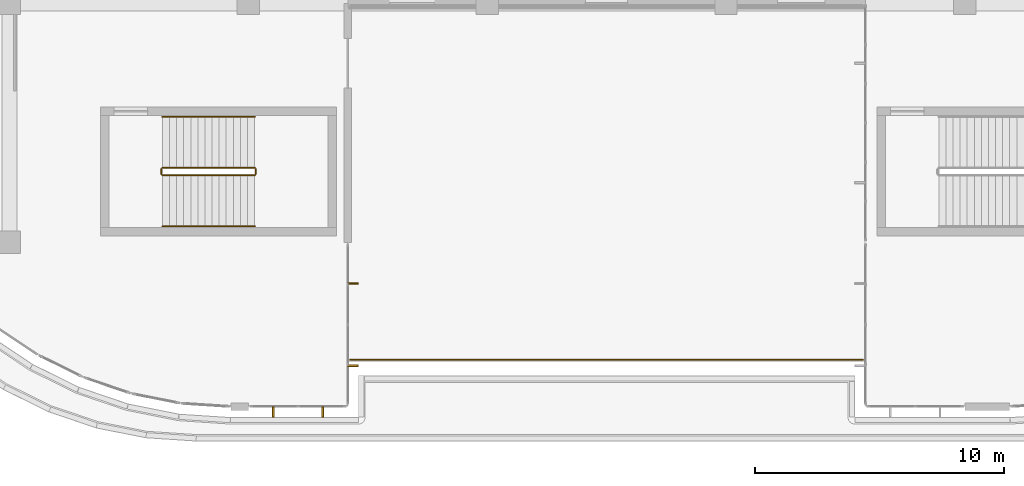
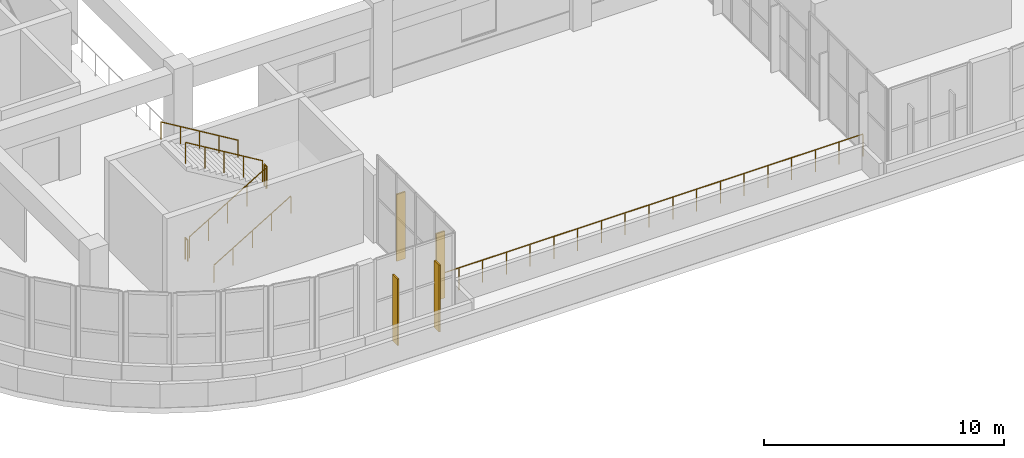
# One storey, part 75 of 96: 7 railings, 4 shading devices.
"""IFC4 building model written with IfcOpenShell, lengths in metres."""

from ifc_helpers import new_model, si_unit, direction, frame, origin, origin_2d, place, context, subcontext, project, spatial, rectangle, circle, extrude, material, type_object, element, save


model = new_model("IFC4")

# Units and contexts
model_context = context("Model", 3, precision=1e-05, world=origin(), true_north=direction((0.0, 1.0)))
body_context = subcontext(model_context, "Body", "Model", "MODEL_VIEW")
ifc_project = project(units=[si_unit("LENGTHUNIT", "METRE"), si_unit("AREAUNIT", "SQUARE_METRE"), si_unit("VOLUMEUNIT", "CUBIC_METRE"), si_unit("PLANEANGLEUNIT", "RADIAN"), si_unit("MASSUNIT", "GRAM", prefix="KILO")], contexts=[model_context])

# Site, building, storey
site_placement = place(None, origin())
site = spatial("IfcSite", under=ifc_project, at=site_placement, CompositionType="ELEMENT")
building_placement = place(site_placement, origin())
building = spatial("IfcBuilding", under=site, at=building_placement, Name="Cendralis Terraced Arcade", CompositionType="ELEMENT")
storey_placement = place(building_placement, frame((0.0, 0.0, 10.199951171875)))
storey = spatial("IfcBuildingStorey", under=building, at=storey_placement, Name="L02", CompositionType="ELEMENT", Elevation=10.199951171875)

# Railings
ifc_material_1 = material(Name="Brushed stainless steel AISI 316", Category="steel")
railing_type_1 = type_object("IfcRailingType", Name="RL-STAIR-GUARD-1100", PredefinedType="GUARDRAIL", material=ifc_material_1)
railing_1_placement = place(storey_placement, frame((15.75, 12.300048828125, 0.17138671875)))
element("IfcRailing", 1, at=railing_1_placement, inside=storey, type_object=railing_type_1, Name="L02 ST-02 stair guard 1", PredefinedType="GUARDRAIL", context=body_context, shape_type="SweptSolid", body=[
    extrude(circle(Radius=0.02392578125, at=origin_2d()), frame((0.0, 0.0, 1.076171875), z_axis=(0.856909459561, 0.0, 0.515466951525), x_axis=(0.0, 1.0, 0.0)), (0.0, 0.0, 1.0), 4.32373046875),
    extrude(circle(Radius=0.02099609375, at=origin_2d()), origin(), (0.0, 0.0, 1.0), 1.052001953125),
    extrude(circle(Radius=0.02099609375, at=origin_2d()), frame((0.92626953125, 0.0, 0.55712890625)), (0.0, 0.0, 1.0), 1.052001953125),
    extrude(circle(Radius=0.02099609375, at=origin_2d()), frame((1.8525390625, 0.0, 1.1142578125)), (0.0, 0.0, 1.0), 1.052001953125),
    extrude(circle(Radius=0.02099609375, at=origin_2d()), frame((2.77880859375, 0.0, 1.671630859375)), (0.0, 0.0, 1.0), 1.052001953125),
    extrude(circle(Radius=0.02099609375, at=origin_2d()), frame((3.705078125, 0.0, 2.228759765625)), (0.0, 0.0, 1.0), 1.052001953125),
])
railing_2_placement = place(storey_placement, frame((19.5048828125, 12.35009765625, 2.400146484375)))
element("IfcRailing", 2, at=railing_2_placement, inside=storey, type_object=railing_type_1, Name="L02 ST-02 stair guard 2", PredefinedType="GUARDRAIL", context=body_context, shape_type="SweptSolid", body=[
    extrude(circle(Radius=0.02392578125, at=origin_2d()), frame((0.0, 0.0, 1.076171875), z_axis=(0.0, 1.0, 0.0), x_axis=(-1.0, 0.0, 0.0)), (0.0, 0.0, 1.0), 0.199951171875),
    extrude(circle(Radius=0.02099609375, at=origin_2d()), origin(), (0.0, 0.0, 1.0), 1.052001953125),
    extrude(circle(Radius=0.02099609375, at=origin_2d()), frame((0.0, 0.199951171875, 0.0)), (0.0, 0.0, 1.0), 1.052001953125),
])
railing_3_placement = place(storey_placement, frame((19.455078125, 12.60009765625, 2.571533203125)))
element("IfcRailing", 3, at=railing_3_placement, inside=storey, type_object=railing_type_1, Name="L02 ST-02 stair guard 3", PredefinedType="GUARDRAIL", context=body_context, shape_type="SweptSolid", body=[
    extrude(circle(Radius=0.02392578125, at=origin_2d()), frame((0.0, 0.0, 1.076171875), z_axis=(-0.856934400257, 0.0, 0.515425487977), x_axis=(0.0, -1.0, 0.0)), (0.0, 0.0, 1.0), 4.32373046875),
    extrude(circle(Radius=0.02099609375, at=origin_2d()), origin(), (0.0, 0.0, 1.0), 1.052001953125),
    extrude(circle(Radius=0.02099609375, at=origin_2d()), frame((-0.92626953125, 0.0, 0.55712890625)), (0.0, 0.0, 1.0), 1.052001953125),
    extrude(circle(Radius=0.02099609375, at=origin_2d()), frame((-1.8525390625, 0.0, 1.1142578125)), (0.0, 0.0, 1.0), 1.052001953125),
    extrude(circle(Radius=0.02099609375, at=origin_2d()), frame((-2.77880859375, 0.0, 1.67138671875)), (0.0, 0.0, 1.0), 1.052001953125),
    extrude(circle(Radius=0.02099609375, at=origin_2d()), frame((-3.705078125, 0.0, 2.228515625)), (0.0, 0.0, 1.0), 1.052001953125),
])
railing_4_placement = place(storey_placement, frame((15.699951171875, 12.35009765625, 0.0)))
element("IfcRailing", 4, at=railing_4_placement, inside=storey, type_object=railing_type_1, Name="L02 ST-02 stair guard 4", PredefinedType="GUARDRAIL", context=body_context, shape_type="SweptSolid", body=[
    extrude(circle(Radius=0.02392578125, at=origin_2d()), frame((0.0, 0.0, 1.076171875), z_axis=(0.0, 1.0, 0.0), x_axis=(-1.0, 0.0, 0.0)), (0.0, 0.0, 1.0), 0.199951171875),
    extrude(circle(Radius=0.02099609375, at=origin_2d()), origin(), (0.0, 0.0, 1.0), 1.052001953125),
    extrude(circle(Radius=0.02099609375, at=origin_2d()), frame((0.0, 0.199951171875, 0.0)), (0.0, 0.0, 1.0), 1.052001953125),
])
railing_type_2 = type_object("IfcRailingType", Name="RL-STAIR-HAND-900", PredefinedType="HANDRAIL", material=ifc_material_1)
railing_5_placement = place(storey_placement, frame((15.75, 10.25, 0.17138671875)))
element("IfcRailing", 5, at=railing_5_placement, inside=storey, type_object=railing_type_2, Name="L02 ST-02 stair handrail 1", PredefinedType="HANDRAIL", context=body_context, shape_type="SweptSolid", body=[
    extrude(circle(Radius=0.02392578125, at=origin_2d()), frame((0.0, 0.0, 0.8759765625), z_axis=(0.856909459561, 0.0, 0.515466951525), x_axis=(0.0, 1.0, 0.0)), (0.0, 0.0, 1.0), 4.32373046875),
    extrude(circle(Radius=0.02099609375, at=origin_2d()), origin(), (0.0, 0.0, 1.0), 0.851806640625),
    extrude(circle(Radius=0.02099609375, at=origin_2d()), frame((0.92626953125, 0.0, 0.55712890625)), (0.0, 0.0, 1.0), 0.851806640625),
    extrude(circle(Radius=0.02099609375, at=origin_2d()), frame((1.8525390625, 0.0, 1.1142578125)), (0.0, 0.0, 1.0), 0.851806640625),
    extrude(circle(Radius=0.02099609375, at=origin_2d()), frame((2.77880859375, 0.0, 1.671630859375)), (0.0, 0.0, 1.0), 0.851806640625),
    extrude(circle(Radius=0.02099609375, at=origin_2d()), frame((3.705078125, 0.0, 2.228759765625)), (0.0, 0.0, 1.0), 0.851806640625),
])
railing_6_placement = place(storey_placement, frame((19.455078125, 14.64990234375, 2.571533203125)))
element("IfcRailing", 6, at=railing_6_placement, inside=storey, type_object=railing_type_2, Name="L02 ST-02 stair handrail 2", PredefinedType="HANDRAIL", context=body_context, shape_type="SweptSolid", body=[
    extrude(circle(Radius=0.02392578125, at=origin_2d()), frame((0.0, 0.0, 0.8759765625), z_axis=(-0.856934400257, 0.0, 0.515425487977), x_axis=(0.0, -1.0, 0.0)), (0.0, 0.0, 1.0), 4.32373046875),
    extrude(circle(Radius=0.02099609375, at=origin_2d()), origin(), (0.0, 0.0, 1.0), 0.851806640625),
    extrude(circle(Radius=0.02099609375, at=origin_2d()), frame((-0.92626953125, 0.0, 0.55712890625)), (0.0, 0.0, 1.0), 0.851806640625),
    extrude(circle(Radius=0.02099609375, at=origin_2d()), frame((-1.8525390625, 0.0, 1.1142578125)), (0.0, 0.0, 1.0), 0.851806640625),
    extrude(circle(Radius=0.02099609375, at=origin_2d()), frame((-2.77880859375, 0.0, 1.67138671875)), (0.0, 0.0, 1.0), 0.851806640625),
    extrude(circle(Radius=0.02099609375, at=origin_2d()), frame((-3.705078125, 0.0, 2.228515625)), (0.0, 0.0, 1.0), 0.851806640625),
])
railing_type_3 = type_object("IfcRailingType", Name="RL-TER-GUARD-1150", PredefinedType="GUARDRAIL", material=ifc_material_1)
railing_7_placement = place(storey_placement, frame((23.300048828125, 4.8798828125, 0.0)))
element("IfcRailing", 7, at=railing_7_placement, inside=storey, type_object=railing_type_3, Name="Planted Terrace Perimeter Guardrail GR-TER-L02-001", PredefinedType="GUARDRAIL", context=body_context, shape_type="SweptSolid", body=[
    extrude(circle(Radius=0.02392578125, at=origin_2d()), frame((0.0, 0.0, 1.1259765625), z_axis=(1.0, 0.0, 0.0), x_axis=(0.0, 1.0, 0.0)), (0.0, 0.0, 1.0), 20.599853515625),
    extrude(circle(Radius=0.02099609375, at=origin_2d()), origin(), (0.0, 0.0, 1.0), 1.101806640625),
    extrude(circle(Radius=0.02099609375, at=origin_2d()), frame((1.14453125, 0.0, 0.0)), (0.0, 0.0, 1.0), 1.101806640625),
    extrude(circle(Radius=0.02099609375, at=origin_2d()), frame((2.288818359375, 0.0, 0.0)), (0.0, 0.0, 1.0), 1.101806640625),
    extrude(circle(Radius=0.02099609375, at=origin_2d()), frame((3.433349609375, 0.0, 0.0)), (0.0, 0.0, 1.0), 1.101806640625),
    extrude(circle(Radius=0.02099609375, at=origin_2d()), frame((4.57763671875, 0.0, 0.0)), (0.0, 0.0, 1.0), 1.101806640625),
    extrude(circle(Radius=0.02099609375, at=origin_2d()), frame((5.72216796875, 0.0, 0.0)), (0.0, 0.0, 1.0), 1.101806640625),
    extrude(circle(Radius=0.02099609375, at=origin_2d()), frame((6.86669921875, 0.0, 0.0)), (0.0, 0.0, 1.0), 1.101806640625),
    extrude(circle(Radius=0.02099609375, at=origin_2d()), frame((8.010986328125, 0.0, 0.0)), (0.0, 0.0, 1.0), 1.101806640625),
    extrude(circle(Radius=0.02099609375, at=origin_2d()), frame((9.155517578125, 0.0, 0.0)), (0.0, 0.0, 1.0), 1.101806640625),
    extrude(circle(Radius=0.02099609375, at=origin_2d()), frame((10.2998046875, 0.0, 0.0)), (0.0, 0.0, 1.0), 1.101806640625),
    extrude(circle(Radius=0.02099609375, at=origin_2d()), frame((11.4443359375, 0.0, 0.0)), (0.0, 0.0, 1.0), 1.101806640625),
    extrude(circle(Radius=0.02099609375, at=origin_2d()), frame((12.5888671875, 0.0, 0.0)), (0.0, 0.0, 1.0), 1.101806640625),
    extrude(circle(Radius=0.02099609375, at=origin_2d()), frame((13.733154296875, 0.0, 0.0)), (0.0, 0.0, 1.0), 1.101806640625),
    extrude(circle(Radius=0.02099609375, at=origin_2d()), frame((14.877685546875, 0.0, 0.0)), (0.0, 0.0, 1.0), 1.101806640625),
    extrude(circle(Radius=0.02099609375, at=origin_2d()), frame((16.022216796875, 0.0, 0.0)), (0.0, 0.0, 1.0), 1.101806640625),
    extrude(circle(Radius=0.02099609375, at=origin_2d()), frame((17.16650390625, 0.0, 0.0)), (0.0, 0.0, 1.0), 1.101806640625),
    extrude(circle(Radius=0.02099609375, at=origin_2d()), frame((18.31103515625, 0.0, 0.0)), (0.0, 0.0, 1.0), 1.101806640625),
    extrude(circle(Radius=0.02099609375, at=origin_2d()), frame((19.455322265625, 0.0, 0.0)), (0.0, 0.0, 1.0), 1.101806640625),
    extrude(circle(Radius=0.02099609375, at=origin_2d()), frame((20.599853515625, 0.0, 0.0)), (0.0, 0.0, 1.0), 1.101806640625),
])

# Shading devices
ifc_material_2 = material(Name="Anodised aluminium EN AW-6063 T6", Category="aluminium")
shading_device_type = type_object("IfcShadingDeviceType", Name="SHD-FIN-420", PredefinedType="USERDEFINED", material=ifc_material_2)
for number, where, z_axis, x_axis, name in (
    (8, (23.4150390625, 7.949951171875, 0.050048828125), (0.0, 0.0, 1.0), (0.0, -1.0, 0.0), "Parametric Vertical Solar Fin FIN-L02-079"),
    (9, (23.4150390625, 4.64990234375, 0.050048828125), (0.0, 0.0, 1.0), (0.0, -1.0, 0.0), "Parametric Vertical Solar Fin FIN-L02-080"),
    (10, (22.199951171875, 2.784912109375, 0.050048828125), (0.0, 0.0, 1.0), (-1.0, 0.0, 0.0), "Parametric Vertical Solar Fin FIN-L02-081"),
    (11, (20.199951171875, 2.784912109375, 0.050048828125), (0.0, 0.0, 1.0), (-1.0, 0.0, 0.0), "Parametric Vertical Solar Fin FIN-L02-082"),
):
    element("IfcShadingDevice", number, at=place(storey_placement, frame(where, z_axis=z_axis, x_axis=x_axis)), inside=storey, type_object=shading_device_type, Name=name, ObjectType="FIN", PredefinedType="USERDEFINED", context=body_context, shape_type="SweptSolid", body=[
        extrude(rectangle(XDim=0.074951171875, YDim=0.419921875, at=origin_2d()), origin(), (0.0, 0.0, 1.0), 3.39990234375),
    ])

save(model, "model.ifc")
